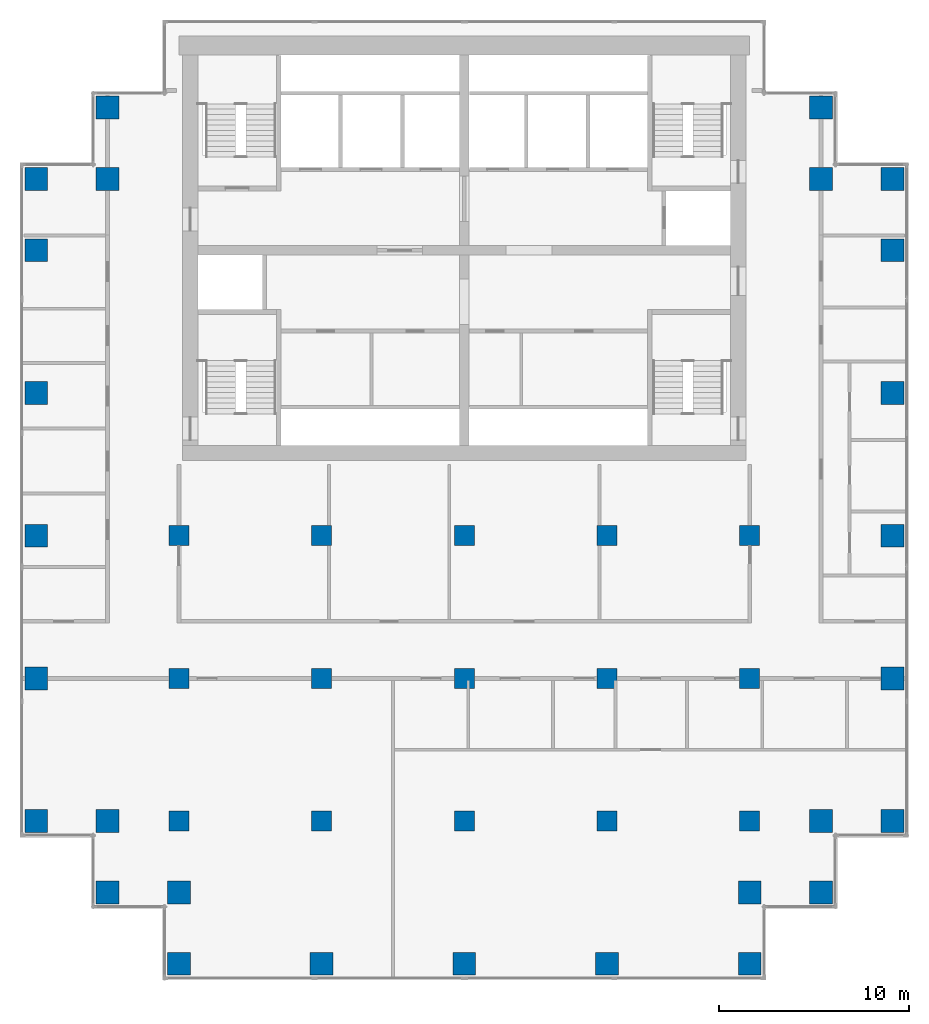
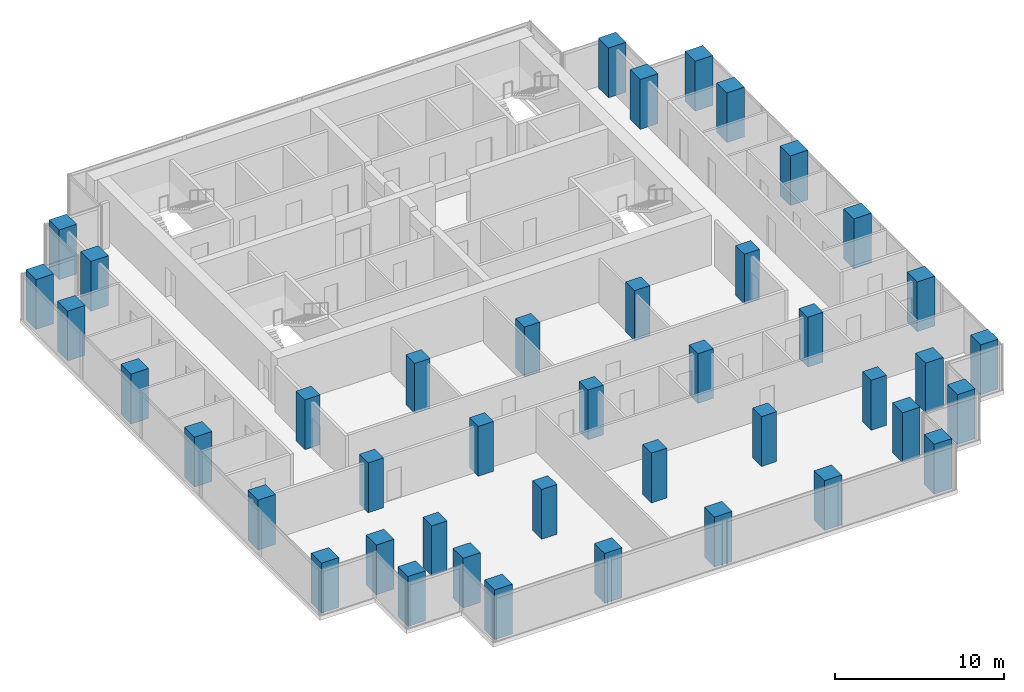
# One storey, part 1 of 10: 42 columns.
"""IFC4 building model written with IfcOpenShell, lengths in metres."""

from ifc_helpers import new_model, si_unit, direction, frame, origin, origin_2d, place, context, subcontext, project, spatial, rectangle, extrude, material, material_profile, profile_set, type_object, element, save


model = new_model("IFC4")

# Units and contexts
model_context = context("Model", 3, precision=1e-05, world=origin(), true_north=direction((0.0, 1.0)))
body_context = subcontext(model_context, "Body", "Model", "MODEL_VIEW")
ifc_project = project(units=[si_unit("LENGTHUNIT", "METRE"), si_unit("AREAUNIT", "SQUARE_METRE"), si_unit("VOLUMEUNIT", "CUBIC_METRE"), si_unit("PLANEANGLEUNIT", "RADIAN"), si_unit("MASSUNIT", "GRAM", prefix="KILO")], contexts=[model_context])

# Site, building, storey
site_placement = place(None, origin())
site = spatial("IfcSite", under=ifc_project, at=site_placement, CompositionType="ELEMENT")
building_placement = place(site_placement, origin())
building = spatial("IfcBuilding", under=site, at=building_placement, Name="Pilkhan Gate Tower", CompositionType="ELEMENT")
storey_placement = place(building_placement, frame((0.0, 0.0, 158.5)))
storey = spatial("IfcBuildingStorey", under=building, at=storey_placement, Name="L40", CompositionType="ELEMENT", Elevation=158.5)

# Columns
ifc_material = material(Name="Concrete C60/75", Category="concrete")
ifc_material_profile_1 = material_profile(ifc_material, rectangle(XDim=1.050048828125, YDim=1.050048828125, at=origin_2d()), Name="RC 1050x1050")
ifc_profile_set_1 = profile_set([ifc_material_profile_1], Name="Concrete C60/75")
column_type_1 = type_object("IfcColumnType", Name="Column C105 RC 1050x1050 C60/75", PredefinedType="COLUMN", material=ifc_profile_set_1)
for number, where, z_axis, x_axis, name in (
    (1, (60.0, 52.5, 0.0), (0.0, 0.0, 1.0), (1.0, 0.0, 0.0), "Column 7/D L40"),
    (2, (60.0, 60.0, 0.0), (0.0, 0.0, 1.0), (1.0, 0.0, 0.0), "Column 7/F L40"),
    (3, (60.0, 67.5, 0.0), (0.0, 0.0, 1.0), (1.0, 0.0, 0.0), "Column 7/H L40"),
    (4, (67.5, 52.5, 0.0), (0.0, 0.0, 1.0), (1.0, 0.0, 0.0), "Column 9/D L40"),
    (5, (67.5, 60.0, 0.0), (0.0, 0.0, 1.0), (1.0, 0.0, 0.0), "Column 9/F L40"),
    (6, (67.5, 67.5, 0.0), (0.0, 0.0, 1.0), (1.0, 0.0, 0.0), "Column 9/H L40"),
    (7, (75.0, 52.5, 0.0), (0.0, 0.0, 1.0), (1.0, 0.0, 0.0), "Column 11/D L40"),
    (8, (75.0, 60.0, 0.0), (0.0, 0.0, 1.0), (1.0, 0.0, 0.0), "Column 11/F L40"),
    (9, (75.0, 67.5, 0.0), (0.0, 0.0, 1.0), (1.0, 0.0, 0.0), "Column 11/H L40"),
    (10, (82.5, 52.5, 0.0), (0.0, 0.0, 1.0), (1.0, 0.0, 0.0), "Column 13/D L40"),
    (11, (82.5, 60.0, 0.0), (0.0, 0.0, 1.0), (1.0, 0.0, 0.0), "Column 13/F L40"),
    (12, (82.5, 67.5, 0.0), (0.0, 0.0, 1.0), (1.0, 0.0, 0.0), "Column 13/H L40"),
    (13, (90.0, 52.5, 0.0), (0.0, 0.0, 1.0), (1.0, 0.0, 0.0), "Column 15/D L40"),
    (14, (90.0, 60.0, 0.0), (0.0, 0.0, 1.0), (1.0, 0.0, 0.0), "Column 15/F L40"),
    (15, (90.0, 67.5, 0.0), (0.0, 0.0, 1.0), (1.0, 0.0, 0.0), "Column 15/H L40"),
):
    element("IfcColumn", number, at=place(storey_placement, frame(where, z_axis=z_axis, x_axis=x_axis)), inside=storey, type_object=column_type_1, Name=name, PredefinedType="COLUMN", context=body_context, shape_type="SweptSolid", body=[
        extrude(rectangle(XDim=1.050048828125, YDim=1.050048828125, at=origin_2d()), origin(), (0.0, 0.0, 1.0), 3.60009765625),
    ])
ifc_material_profile_2 = material_profile(ifc_material, rectangle(XDim=1.199951171875, YDim=1.199951171875, at=origin_2d()), Name="RC 1200x1200")
ifc_profile_set_2 = profile_set([ifc_material_profile_2], Name="Concrete C60/75")
column_type_2 = type_object("IfcColumnType", Name="Column C120 RC 1200x1200 C60/75", PredefinedType="COLUMN", material=ifc_profile_set_2)
for number, where, z_axis, x_axis, name in (
    (16, (52.5, 52.5, 0.0), (0.0, 0.0, 1.0), (1.0, 0.0, 0.0), "Column 5/D L40"),
    (17, (52.5, 60.0, 0.0), (0.0, 0.0, 1.0), (1.0, 0.0, 0.0), "Column 5/F L40"),
    (18, (52.5, 67.5, 0.0), (0.0, 0.0, 1.0), (1.0, 0.0, 0.0), "Column 5/H L40"),
    (19, (52.5, 75.0, 0.0), (0.0, 0.0, 1.0), (1.0, 0.0, 0.0), "Column 5/K L40"),
    (20, (52.5, 82.5, 0.0), (0.0, 0.0, 1.0), (1.0, 0.0, 0.0), "Column 5/M L40"),
    (21, (52.5, 86.25, 0.0), (0.0, 0.0, 1.0), (1.0, 0.0, 0.0), "Column 5/N L40"),
    (22, (56.25, 48.75, 0.0), (0.0, 0.0, 1.0), (1.0, 0.0, 0.0), "Column 6/C L40"),
    (23, (56.25, 52.5, 0.0), (0.0, 0.0, 1.0), (1.0, 0.0, 0.0), "Column 6/D L40"),
    (24, (56.25, 86.25, 0.0), (0.0, 0.0, 1.0), (1.0, 0.0, 0.0), "Column 6/N L40"),
    (25, (56.25, 90.0, 0.0), (0.0, 0.0, 1.0), (1.0, 0.0, 0.0), "Column 6/P L40"),
    (26, (60.0, 45.0, 0.0), (0.0, 0.0, 1.0), (1.0, 0.0, 0.0), "Column 7/B L40"),
    (27, (60.0, 48.75, 0.0), (0.0, 0.0, 1.0), (1.0, 0.0, 0.0), "Column 7/C L40"),
    (28, (67.5, 45.0, 0.0), (0.0, 0.0, 1.0), (1.0, 0.0, 0.0), "Column 9/B L40"),
    (29, (75.0, 45.0, 0.0), (0.0, 0.0, 1.0), (1.0, 0.0, 0.0), "Column 11/B L40"),
    (30, (82.5, 45.0, 0.0), (0.0, 0.0, 1.0), (1.0, 0.0, 0.0), "Column 13/B L40"),
    (31, (90.0, 45.0, 0.0), (0.0, 0.0, 1.0), (1.0, 0.0, 0.0), "Column 15/B L40"),
    (32, (90.0, 48.75, 0.0), (0.0, 0.0, 1.0), (1.0, 0.0, 0.0), "Column 15/C L40"),
    (33, (93.75, 48.75, 0.0), (0.0, 0.0, 1.0), (1.0, 0.0, 0.0), "Column 16/C L40"),
    (34, (93.75, 52.5, 0.0), (0.0, 0.0, 1.0), (1.0, 0.0, 0.0), "Column 16/D L40"),
    (35, (93.75, 86.25, 0.0), (0.0, 0.0, 1.0), (1.0, 0.0, 0.0), "Column 16/N L40"),
    (36, (93.75, 90.0, 0.0), (0.0, 0.0, 1.0), (1.0, 0.0, 0.0), "Column 16/P L40"),
    (37, (97.5, 52.5, 0.0), (0.0, 0.0, 1.0), (1.0, 0.0, 0.0), "Column 17/D L40"),
    (38, (97.5, 60.0, 0.0), (0.0, 0.0, 1.0), (1.0, 0.0, 0.0), "Column 17/F L40"),
    (39, (97.5, 67.5, 0.0), (0.0, 0.0, 1.0), (1.0, 0.0, 0.0), "Column 17/H L40"),
    (40, (97.5, 75.0, 0.0), (0.0, 0.0, 1.0), (1.0, 0.0, 0.0), "Column 17/K L40"),
    (41, (97.5, 82.5, 0.0), (0.0, 0.0, 1.0), (1.0, 0.0, 0.0), "Column 17/M L40"),
    (42, (97.5, 86.25, 0.0), (0.0, 0.0, 1.0), (1.0, 0.0, 0.0), "Column 17/N L40"),
):
    element("IfcColumn", number, at=place(storey_placement, frame(where, z_axis=z_axis, x_axis=x_axis)), inside=storey, type_object=column_type_2, Name=name, PredefinedType="COLUMN", context=body_context, shape_type="SweptSolid", body=[
        extrude(rectangle(XDim=1.199951171875, YDim=1.199951171875, at=origin_2d()), origin(), (0.0, 0.0, 1.0), 3.60009765625),
    ])

save(model, "model.ifc")
